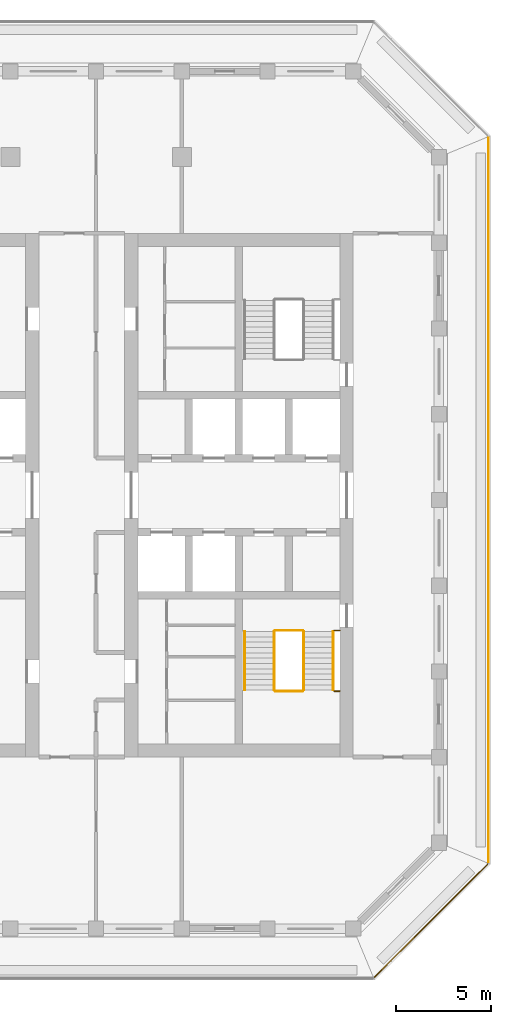
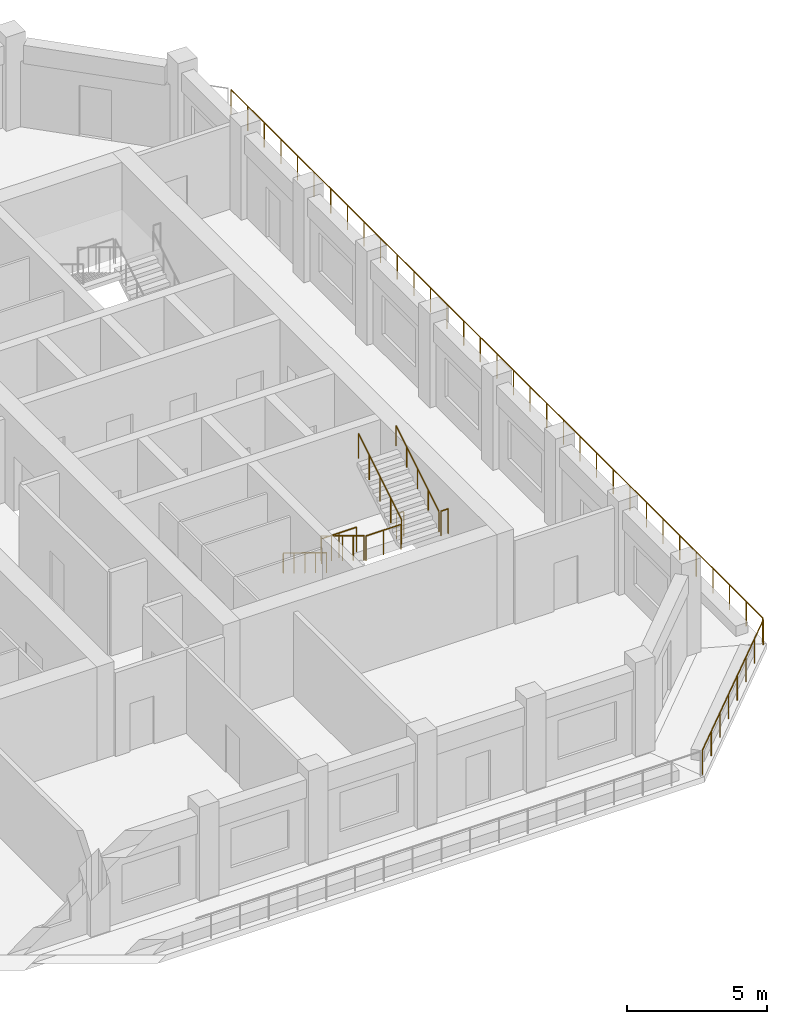
# One storey, part 10 of 14: 10 railings.
"""IFC4 building model written with IfcOpenShell, lengths in metres."""

from ifc_helpers import new_model, si_unit, direction, frame, origin, origin_2d, place, context, subcontext, project, spatial, circle, extrude, material, type_object, element, save


model = new_model("IFC4")

# Units and contexts
model_context = context("Model", 3, precision=1e-05, world=origin(), true_north=direction((0.0, 1.0)))
body_context = subcontext(model_context, "Body", "Model", "MODEL_VIEW")
ifc_project = project(units=[si_unit("LENGTHUNIT", "METRE"), si_unit("AREAUNIT", "SQUARE_METRE"), si_unit("VOLUMEUNIT", "CUBIC_METRE"), si_unit("PLANEANGLEUNIT", "RADIAN"), si_unit("MASSUNIT", "GRAM", prefix="KILO")], contexts=[model_context])

# Site, building, storey
site_placement = place(None, origin())
site = spatial("IfcSite", under=ifc_project, at=site_placement, CompositionType="ELEMENT")
building_placement = place(site_placement, origin())
building = spatial("IfcBuilding", under=site, at=building_placement, Name="Corbel Stack Research Tower", CompositionType="ELEMENT")
storey_placement = place(building_placement, frame((0.0, 0.0, 286.800048828125)))
storey = spatial("IfcBuildingStorey", under=building, at=storey_placement, Name="L65", CompositionType="ELEMENT", Elevation=286.800048828125)

# Railings
ifc_material_1 = material(Name="Steel S355", Category="steel")
railing_type_1 = type_object("IfcRailingType", Name="Stair guard 1100", PredefinedType="GUARDRAIL", material=ifc_material_1)
railing_1_placement = place(storey_placement, frame((13.85009765625, -2.39990234375, 0.1708984375)))
element("IfcRailing", 1, at=railing_1_placement, inside=storey, type_object=railing_type_1, Name="L65 ST-E1 stair guard 1", PredefinedType="GUARDRAIL", context=body_context, shape_type="SweptSolid", body=[
    extrude(circle(Radius=0.02392578125, at=origin_2d()), frame((0.0, 0.0, 1.076171875), z_axis=(0.0, -0.853666305674, 0.52082035152), x_axis=(1.0, 0.0, 0.0)), (0.0, 0.0, 1.0), 3.608154296875),
    extrude(circle(Radius=0.02099609375, at=origin_2d()), origin(), (0.0, 0.0, 1.0), 1.052001953125),
    extrude(circle(Radius=0.02099609375, at=origin_2d()), frame((0.0, -0.77001953125, 0.4697265625)), (0.0, 0.0, 1.0), 1.052001953125),
    extrude(circle(Radius=0.02099609375, at=origin_2d()), frame((0.0, -1.5400390625, 0.939453125)), (0.0, 0.0, 1.0), 1.052001953125),
    extrude(circle(Radius=0.02099609375, at=origin_2d()), frame((0.0, -2.31005859375, 1.409423828125)), (0.0, 0.0, 1.0), 1.052001953125),
    extrude(circle(Radius=0.02099609375, at=origin_2d()), frame((0.0, -3.080078125, 1.879150390625)), (0.0, 0.0, 1.0), 1.052001953125),
])
railing_2_placement = place(storey_placement, frame((13.89990234375, -5.530029296875, 2.050048828125)))
element("IfcRailing", 2, at=railing_2_placement, inside=storey, type_object=railing_type_1, Name="L65 ST-E1 stair guard 2", PredefinedType="GUARDRAIL", context=body_context, shape_type="SweptSolid", body=[
    extrude(circle(Radius=0.02392578125, at=origin_2d()), frame((0.0, 0.0, 1.076171875), z_axis=(1.0, 0.0, 0.0), x_axis=(0.0, 1.0, 0.0)), (0.0, 0.0, 1.0), 1.4501953125),
    extrude(circle(Radius=0.02099609375, at=origin_2d()), origin(), (0.0, 0.0, 1.0), 1.052001953125),
    extrude(circle(Radius=0.02099609375, at=origin_2d()), frame((0.72509765625, 0.0, 0.0)), (0.0, 0.0, 1.0), 1.052001953125),
    extrude(circle(Radius=0.02099609375, at=origin_2d()), frame((1.4501953125, 0.0, 0.0)), (0.0, 0.0, 1.0), 1.052001953125),
])
railing_3_placement = place(storey_placement, frame((17.0, -5.530029296875, 2.050048828125)))
element("IfcRailing", 3, at=railing_3_placement, inside=storey, type_object=railing_type_1, Name="L65 ST-E1 stair guard 3", PredefinedType="GUARDRAIL", context=body_context, shape_type="SweptSolid", body=[
    extrude(circle(Radius=0.02392578125, at=origin_2d()), frame((0.0, 0.0, 1.076171875), z_axis=(1.0, 0.0, 0.0), x_axis=(0.0, 1.0, 0.0)), (0.0, 0.0, 1.0), 0.300048828125),
    extrude(circle(Radius=0.02099609375, at=origin_2d()), origin(), (0.0, 0.0, 1.0), 1.052001953125),
    extrude(circle(Radius=0.02099609375, at=origin_2d()), frame((0.300048828125, 0.0, 0.0)), (0.0, 0.0, 1.0), 1.052001953125),
])
railing_4_placement = place(storey_placement, frame((15.39990234375, -5.47998046875, 2.220703125)))
element("IfcRailing", 4, at=railing_4_placement, inside=storey, type_object=railing_type_1, Name="L65 ST-E1 stair guard 4", PredefinedType="GUARDRAIL", context=body_context, shape_type="SweptSolid", body=[
    extrude(circle(Radius=0.02392578125, at=origin_2d()), frame((0.0, 0.0, 1.076171875), z_axis=(0.0, 0.853666305674, 0.52082035152), x_axis=(-1.0, 0.0, 0.0)), (0.0, 0.0, 1.0), 3.608154296875),
    extrude(circle(Radius=0.02099609375, at=origin_2d()), origin(), (0.0, 0.0, 1.0), 1.052001953125),
    extrude(circle(Radius=0.02099609375, at=origin_2d()), frame((0.0, 0.77001953125, 0.4697265625)), (0.0, 0.0, 1.0), 1.052001953125),
    extrude(circle(Radius=0.02099609375, at=origin_2d()), frame((0.0, 1.5400390625, 0.939453125)), (0.0, 0.0, 1.0), 1.052001953125),
    extrude(circle(Radius=0.02099609375, at=origin_2d()), frame((0.0, 2.31005859375, 1.409423828125)), (0.0, 0.0, 1.0), 1.052001953125),
    extrude(circle(Radius=0.02099609375, at=origin_2d()), frame((0.0, 3.080078125, 1.879150390625)), (0.0, 0.0, 1.0), 1.052001953125),
])
railing_5_placement = place(storey_placement, frame((13.89990234375, -2.35009765625, 0.0)))
element("IfcRailing", 5, at=railing_5_placement, inside=storey, type_object=railing_type_1, Name="L65 ST-E1 stair guard 5", PredefinedType="GUARDRAIL", context=body_context, shape_type="SweptSolid", body=[
    extrude(circle(Radius=0.02392578125, at=origin_2d()), frame((0.0, 0.0, 1.076171875), z_axis=(1.0, 0.0, 0.0), x_axis=(0.0, 1.0, 0.0)), (0.0, 0.0, 1.0), 1.4501953125),
    extrude(circle(Radius=0.02099609375, at=origin_2d()), origin(), (0.0, 0.0, 1.0), 1.052001953125),
    extrude(circle(Radius=0.02099609375, at=origin_2d()), frame((0.72509765625, 0.0, 0.0)), (0.0, 0.0, 1.0), 1.052001953125),
    extrude(circle(Radius=0.02099609375, at=origin_2d()), frame((1.4501953125, 0.0, 0.0)), (0.0, 0.0, 1.0), 1.052001953125),
])
railing_6_placement = place(storey_placement, frame((17.0, -2.35009765625, 0.0)))
element("IfcRailing", 6, at=railing_6_placement, inside=storey, type_object=railing_type_1, Name="L65 ST-E1 stair guard 6", PredefinedType="GUARDRAIL", context=body_context, shape_type="SweptSolid", body=[
    extrude(circle(Radius=0.02392578125, at=origin_2d()), frame((0.0, 0.0, 1.076171875), z_axis=(1.0, 0.0, 0.0), x_axis=(0.0, 1.0, 0.0)), (0.0, 0.0, 1.0), 0.300048828125),
    extrude(circle(Radius=0.02099609375, at=origin_2d()), origin(), (0.0, 0.0, 1.0), 1.052001953125),
    extrude(circle(Radius=0.02099609375, at=origin_2d()), frame((0.300048828125, 0.0, 0.0)), (0.0, 0.0, 1.0), 1.052001953125),
])
ifc_material_2 = material(Name="Steel S355", Category="steel")
railing_type_2 = type_object("IfcRailingType", Name="Stair handrail 900", PredefinedType="HANDRAIL", material=ifc_material_2)
railing_7_placement = place(storey_placement, frame((12.300048828125, -2.39990234375, 0.1708984375)))
element("IfcRailing", 7, at=railing_7_placement, inside=storey, type_object=railing_type_2, Name="L65 ST-E1 stair handrail 1", PredefinedType="HANDRAIL", context=body_context, shape_type="SweptSolid", body=[
    extrude(circle(Radius=0.02392578125, at=origin_2d()), frame((0.0, 0.0, 0.8759765625), z_axis=(0.0, -0.853666305674, 0.52082035152), x_axis=(1.0, 0.0, 0.0)), (0.0, 0.0, 1.0), 3.608154296875),
    extrude(circle(Radius=0.02099609375, at=origin_2d()), origin(), (0.0, 0.0, 1.0), 0.851806640625),
    extrude(circle(Radius=0.02099609375, at=origin_2d()), frame((0.0, -0.77001953125, 0.4697265625)), (0.0, 0.0, 1.0), 0.851806640625),
    extrude(circle(Radius=0.02099609375, at=origin_2d()), frame((0.0, -1.5400390625, 0.939453125)), (0.0, 0.0, 1.0), 0.851806640625),
    extrude(circle(Radius=0.02099609375, at=origin_2d()), frame((0.0, -2.31005859375, 1.409423828125)), (0.0, 0.0, 1.0), 0.851806640625),
    extrude(circle(Radius=0.02099609375, at=origin_2d()), frame((0.0, -3.080078125, 1.879150390625)), (0.0, 0.0, 1.0), 0.851806640625),
])
railing_8_placement = place(storey_placement, frame((16.949951171875, -5.47998046875, 2.220703125)))
element("IfcRailing", 8, at=railing_8_placement, inside=storey, type_object=railing_type_2, Name="L65 ST-E1 stair handrail 2", PredefinedType="HANDRAIL", context=body_context, shape_type="SweptSolid", body=[
    extrude(circle(Radius=0.02392578125, at=origin_2d()), frame((0.0, 0.0, 0.8759765625), z_axis=(0.0, 0.853666305674, 0.52082035152), x_axis=(-1.0, 0.0, 0.0)), (0.0, 0.0, 1.0), 3.608154296875),
    extrude(circle(Radius=0.02099609375, at=origin_2d()), origin(), (0.0, 0.0, 1.0), 0.851806640625),
    extrude(circle(Radius=0.02099609375, at=origin_2d()), frame((0.0, 0.77001953125, 0.4697265625)), (0.0, 0.0, 1.0), 0.851806640625),
    extrude(circle(Radius=0.02099609375, at=origin_2d()), frame((0.0, 1.5400390625, 0.939453125)), (0.0, 0.0, 1.0), 0.851806640625),
    extrude(circle(Radius=0.02099609375, at=origin_2d()), frame((0.0, 2.31005859375, 1.409423828125)), (0.0, 0.0, 1.0), 0.851806640625),
    extrude(circle(Radius=0.02099609375, at=origin_2d()), frame((0.0, 3.080078125, 1.879150390625)), (0.0, 0.0, 1.0), 0.851806640625),
])
ifc_material_3 = material(Name="Powder-coated steel guard", Category="steel")
railing_type_3 = type_object("IfcRailingType", Name="Steel and glass guard 1100", PredefinedType="GUARDRAIL", material=ifc_material_3)
railing_9_placement = place(storey_placement, frame((19.127685546875, -20.54931640625, 0.0)))
element("IfcRailing", 9, at=railing_9_placement, inside=storey, type_object=railing_type_3, Name="Loggia guard L65 SE", PredefinedType="GUARDRAIL", context=body_context, shape_type="SweptSolid", body=[
    extrude(circle(Radius=0.02392578125, at=origin_2d()), frame((0.0, 0.0, 1.076171875), z_axis=(0.707106781187, 0.707106781187, 0.0), x_axis=(-0.707106781187, 0.707106781187, 0.0)), (0.0, 0.0, 1.0), 8.37451171875),
    extrude(circle(Radius=0.02099609375, at=origin_2d()), origin(), (0.0, 0.0, 1.0), 1.052001953125),
    extrude(circle(Radius=0.02099609375, at=origin_2d()), frame((0.845947265625, 0.845947265625, 0.0)), (0.0, 0.0, 1.0), 1.052001953125),
    extrude(circle(Radius=0.02099609375, at=origin_2d()), frame((1.69189453125, 1.69189453125, 0.0)), (0.0, 0.0, 1.0), 1.052001953125),
    extrude(circle(Radius=0.02099609375, at=origin_2d()), frame((2.537841796875, 2.537841796875, 0.0)), (0.0, 0.0, 1.0), 1.052001953125),
    extrude(circle(Radius=0.02099609375, at=origin_2d()), frame((3.3837890625, 3.3837890625, 0.0)), (0.0, 0.0, 1.0), 1.052001953125),
    extrude(circle(Radius=0.02099609375, at=origin_2d()), frame((4.229736328125, 4.229736328125, 0.0)), (0.0, 0.0, 1.0), 1.052001953125),
    extrude(circle(Radius=0.02099609375, at=origin_2d()), frame((5.07568359375, 5.07568359375, 0.0)), (0.0, 0.0, 1.0), 1.052001953125),
    extrude(circle(Radius=0.02099609375, at=origin_2d()), frame((5.921630859375, 5.921630859375, 0.0)), (0.0, 0.0, 1.0), 1.052001953125),
])
railing_10_placement = place(storey_placement, frame((25.10009765625, -14.50537109375, 0.0)))
element("IfcRailing", 10, at=railing_10_placement, inside=storey, type_object=railing_type_3, Name="Loggia guard L65 E", PredefinedType="GUARDRAIL", context=body_context, shape_type="SweptSolid", body=[
    extrude(circle(Radius=0.02392578125, at=origin_2d()), frame((0.0, 0.0, 1.076171875), z_axis=(0.0, 1.0, 0.0), x_axis=(-1.0, 0.0, 0.0)), (0.0, 0.0, 1.0), 38.0107421875),
    extrude(circle(Radius=0.02099609375, at=origin_2d()), origin(), (0.0, 0.0, 1.0), 1.052001953125),
    extrude(circle(Radius=0.02099609375, at=origin_2d()), frame((0.0, 1.187744140625, 0.0)), (0.0, 0.0, 1.0), 1.052001953125),
    extrude(circle(Radius=0.02099609375, at=origin_2d()), frame((0.0, 2.375732421875, 0.0)), (0.0, 0.0, 1.0), 1.052001953125),
    extrude(circle(Radius=0.02099609375, at=origin_2d()), frame((0.0, 3.5634765625, 0.0)), (0.0, 0.0, 1.0), 1.052001953125),
    extrude(circle(Radius=0.02099609375, at=origin_2d()), frame((0.0, 4.75146484375, 0.0)), (0.0, 0.0, 1.0), 1.052001953125),
    extrude(circle(Radius=0.02099609375, at=origin_2d()), frame((0.0, 5.939208984375, 0.0)), (0.0, 0.0, 1.0), 1.052001953125),
    extrude(circle(Radius=0.02099609375, at=origin_2d()), frame((0.0, 7.126953125, 0.0)), (0.0, 0.0, 1.0), 1.052001953125),
    extrude(circle(Radius=0.02099609375, at=origin_2d()), frame((0.0, 8.31494140625, 0.0)), (0.0, 0.0, 1.0), 1.052001953125),
    extrude(circle(Radius=0.02099609375, at=origin_2d()), frame((0.0, 9.502685546875, 0.0)), (0.0, 0.0, 1.0), 1.052001953125),
    extrude(circle(Radius=0.02099609375, at=origin_2d()), frame((0.0, 10.6904296875, 0.0)), (0.0, 0.0, 1.0), 1.052001953125),
    extrude(circle(Radius=0.02099609375, at=origin_2d()), frame((0.0, 11.87841796875, 0.0)), (0.0, 0.0, 1.0), 1.052001953125),
    extrude(circle(Radius=0.02099609375, at=origin_2d()), frame((0.0, 13.066162109375, 0.0)), (0.0, 0.0, 1.0), 1.052001953125),
    extrude(circle(Radius=0.02099609375, at=origin_2d()), frame((0.0, 14.25390625, 0.0)), (0.0, 0.0, 1.0), 1.052001953125),
    extrude(circle(Radius=0.02099609375, at=origin_2d()), frame((0.0, 15.44189453125, 0.0)), (0.0, 0.0, 1.0), 1.052001953125),
    extrude(circle(Radius=0.02099609375, at=origin_2d()), frame((0.0, 16.629638671875, 0.0)), (0.0, 0.0, 1.0), 1.052001953125),
    extrude(circle(Radius=0.02099609375, at=origin_2d()), frame((0.0, 17.817626953125, 0.0)), (0.0, 0.0, 1.0), 1.052001953125),
    extrude(circle(Radius=0.02099609375, at=origin_2d()), frame((0.0, 19.00537109375, 0.0)), (0.0, 0.0, 1.0), 1.052001953125),
    extrude(circle(Radius=0.02099609375, at=origin_2d()), frame((0.0, 20.193115234375, 0.0)), (0.0, 0.0, 1.0), 1.052001953125),
    extrude(circle(Radius=0.02099609375, at=origin_2d()), frame((0.0, 21.381103515625, 0.0)), (0.0, 0.0, 1.0), 1.052001953125),
    extrude(circle(Radius=0.02099609375, at=origin_2d()), frame((0.0, 22.56884765625, 0.0)), (0.0, 0.0, 1.0), 1.052001953125),
    extrude(circle(Radius=0.02099609375, at=origin_2d()), frame((0.0, 23.7568359375, 0.0)), (0.0, 0.0, 1.0), 1.052001953125),
    extrude(circle(Radius=0.02099609375, at=origin_2d()), frame((0.0, 24.944580078125, 0.0)), (0.0, 0.0, 1.0), 1.052001953125),
    extrude(circle(Radius=0.02099609375, at=origin_2d()), frame((0.0, 26.13232421875, 0.0)), (0.0, 0.0, 1.0), 1.052001953125),
    extrude(circle(Radius=0.02099609375, at=origin_2d()), frame((0.0, 27.3203125, 0.0)), (0.0, 0.0, 1.0), 1.052001953125),
    extrude(circle(Radius=0.02099609375, at=origin_2d()), frame((0.0, 28.508056640625, 0.0)), (0.0, 0.0, 1.0), 1.052001953125),
    extrude(circle(Radius=0.02099609375, at=origin_2d()), frame((0.0, 29.69580078125, 0.0)), (0.0, 0.0, 1.0), 1.052001953125),
    extrude(circle(Radius=0.02099609375, at=origin_2d()), frame((0.0, 30.8837890625, 0.0)), (0.0, 0.0, 1.0), 1.052001953125),
    extrude(circle(Radius=0.02099609375, at=origin_2d()), frame((0.0, 32.071533203125, 0.0)), (0.0, 0.0, 1.0), 1.052001953125),
    extrude(circle(Radius=0.02099609375, at=origin_2d()), frame((0.0, 33.25927734375, 0.0)), (0.0, 0.0, 1.0), 1.052001953125),
    extrude(circle(Radius=0.02099609375, at=origin_2d()), frame((0.0, 34.447265625, 0.0)), (0.0, 0.0, 1.0), 1.052001953125),
    extrude(circle(Radius=0.02099609375, at=origin_2d()), frame((0.0, 35.635009765625, 0.0)), (0.0, 0.0, 1.0), 1.052001953125),
    extrude(circle(Radius=0.02099609375, at=origin_2d()), frame((0.0, 36.822998046875, 0.0)), (0.0, 0.0, 1.0), 1.052001953125),
    extrude(circle(Radius=0.02099609375, at=origin_2d()), frame((0.0, 38.0107421875, 0.0)), (0.0, 0.0, 1.0), 1.052001953125),
])

save(model, "model.ifc")
